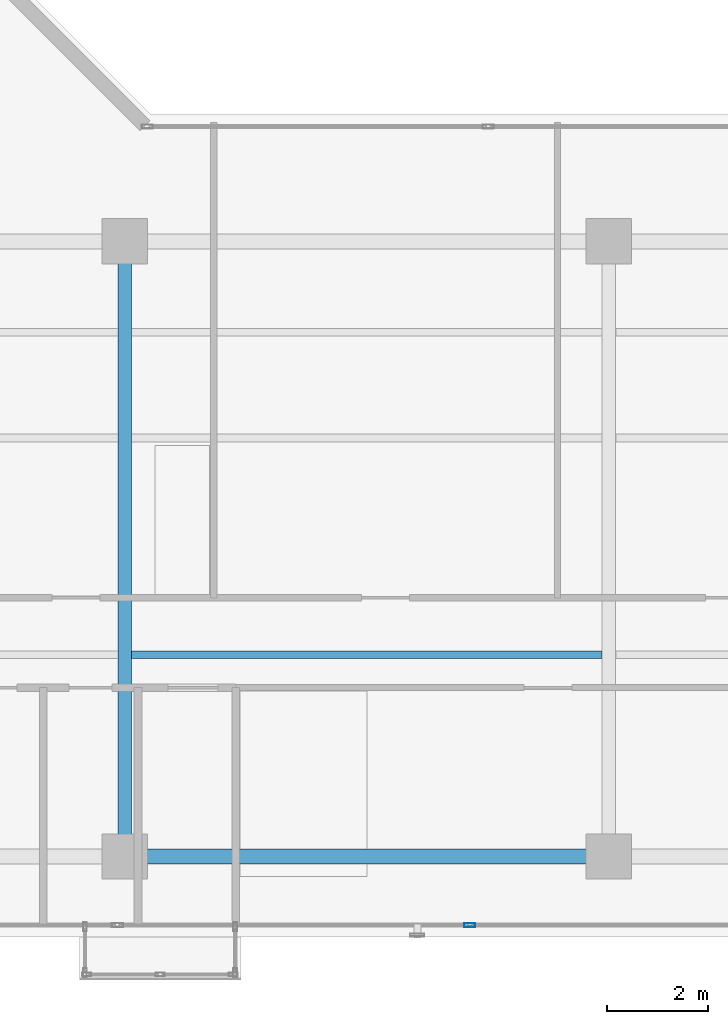
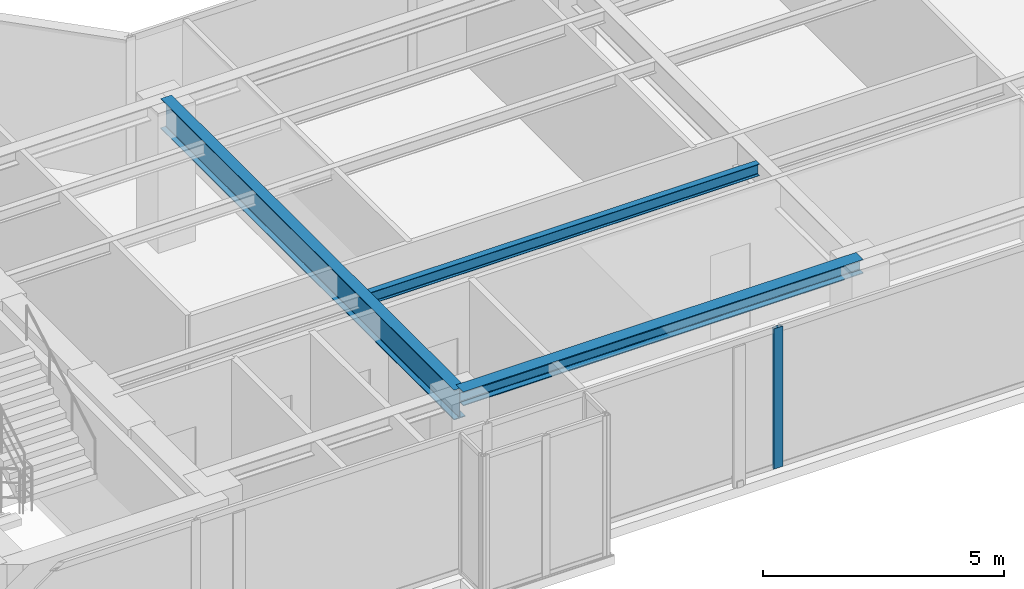
# One storey, part 5 of 24: 3 beams, 1 member, 1 element without a shape of its own.
"""IFC4 building model written with IfcOpenShell, lengths in metres."""

from ifc_helpers import new_model, si_unit, direction, frame, origin, origin_with_axes, origin_2d, place, context, subcontext, project, spatial, hollow_rectangle, i_section, extrude, source, transform, mapped, material, layer, layer_set, material_profile, profile_set, type_object, element, aggregate, save


model = new_model("IFC4")

# Units and contexts
model_context = context("Model", 3, precision=1e-05, world=origin(), true_north=direction((0.0, 1.0)))
body_context = subcontext(model_context, "Body", "Model", "MODEL_VIEW")
ifc_project = project(units=[si_unit("LENGTHUNIT", "METRE"), si_unit("AREAUNIT", "SQUARE_METRE"), si_unit("VOLUMEUNIT", "CUBIC_METRE"), si_unit("PLANEANGLEUNIT", "RADIAN"), si_unit("MASSUNIT", "GRAM", prefix="KILO")], contexts=[model_context])

# Site, building, storey
site_placement = place(None, origin())
site = spatial("IfcSite", under=ifc_project, at=site_placement, CompositionType="ELEMENT")
building_placement = place(site_placement, origin())
building = spatial("IfcBuilding", under=site, at=building_placement, Name="Kolvaren Waterfront Exchange", CompositionType="ELEMENT")
storey_placement = place(building_placement, frame((0.0, 0.0, 293.199951171875)))
storey = spatial("IfcBuildingStorey", under=building, at=storey_placement, Name="L75", CompositionType="ELEMENT", Elevation=293.199951171875)

# Beams
ifc_material_1 = material(Name="Steel S355", Category="steel")
ifc_material_profile_1 = material_profile(ifc_material_1, i_section(OverallWidth=0.300048828125, OverallDepth=0.360107421875, WebThickness=0.012451171875, FlangeThickness=0.0224609375, FilletRadius=0.027099609375, at=origin_2d()), Name="HEB360")
ifc_profile_set_1 = profile_set([ifc_material_profile_1], Name="Steel S355")
beam_type_1 = type_object("IfcBeamType", Name="STR-BM-HEB360", PredefinedType="SPANDREL", material=ifc_profile_set_1)
beam_1_placement = place(storey_placement, frame((27.199951171875, 5.199951171875, 3.380126953125), z_axis=(1.0, 0.0, 0.0), x_axis=(0.0, 1.0, 0.0)))
element("IfcBeam", 1, at=beam_1_placement, inside=storey, type_object=beam_type_1, Name="L75 east-arm spandrel S2", PredefinedType="SPANDREL", context=body_context, shape_type="SweptSolid", body=[
    extrude(i_section(OverallWidth=0.300048828125, OverallDepth=0.360107421875, WebThickness=0.012451171875, FlangeThickness=0.0224609375, FilletRadius=0.027099609375, at=origin_2d()), origin(), (0.0, 0.0, 1.0), 9.60009765625),
])
ifc_material_profile_2 = material_profile(ifc_material_1, i_section(OverallWidth=0.14990234375, OverallDepth=0.300048828125, WebThickness=0.007080078125, FlangeThickness=0.0107421875, FilletRadius=0.014892578125, at=origin_2d()), Name="IPE300")
ifc_profile_set_2 = profile_set([ifc_material_profile_2], Name="Steel S355")
beam_type_2 = type_object("IfcBeamType", Name="STR-BM-IPE300", PredefinedType="JOIST", material=ifc_profile_set_2)
beam_2_placement = place(storey_placement, frame((27.33544921875, 9.199951171875, 3.41015625), z_axis=(1.0, 0.0, 0.0), x_axis=(0.0, 1.0, 0.0)))
element("IfcBeam", 2, at=beam_2_placement, inside=storey, type_object=beam_type_2, Name="L75 east-arm composite joist 2B", PredefinedType="JOIST", context=body_context, shape_type="SweptSolid", body=[
    extrude(i_section(OverallWidth=0.14990234375, OverallDepth=0.300048828125, WebThickness=0.007080078125, FlangeThickness=0.0107421875, FilletRadius=0.014892578125, at=origin_2d()), origin(), (0.0, 0.0, 1.0), 9.3291015625),
])
ifc_material_profile_3 = material_profile(ifc_material_1, i_section(OverallWidth=0.26708984375, OverallDepth=0.761962890625, WebThickness=0.014404296875, FlangeThickness=0.021484375, FilletRadius=0.01708984375, at=origin_2d()), Name="IPE750x173")
ifc_profile_set_3 = profile_set([ifc_material_profile_3], Name="Steel S355")
beam_type_3 = type_object("IfcBeamType", Name="STR-BM-IPE750", PredefinedType="BEAM", material=ifc_profile_set_3)
beam_3_placement = place(storey_placement, frame((27.199951171875, 5.199951171875, 3.178955078125), z_axis=(0.0, 1.0, 0.0), x_axis=(-1.0, 0.0, 0.0)))
element("IfcBeam", 3, at=beam_3_placement, inside=storey, type_object=beam_type_3, Name="L75 east-arm transverse girder X27", PredefinedType="BEAM", context=body_context, shape_type="SweptSolid", body=[
    extrude(i_section(OverallWidth=0.26708984375, OverallDepth=0.761962890625, WebThickness=0.014404296875, FlangeThickness=0.021484375, FilletRadius=0.01708984375, at=origin_2d()), origin(), (0.0, 0.0, 1.0), 12.199951171875),
])

# Curtain wall, member
ifc_material_2 = material(Name="Anodised bronze aluminium 6063-T6", Category="aluminium")
ifc_layer = layer(ifc_material_2, 0.219970703125, Name="Anodised bronze aluminium 6063-T6")
ifc_layer_set = layer_set([ifc_layer], Name="Anodised bronze aluminium 6063-T6")
curtain_wall_type = type_object("IfcCurtainWallType", Name="ARC-CW-SYS1", PredefinedType="USERDEFINED", material=ifc_layer_set)
curtain_wall_placement = place(storey_placement, origin())
curtain_wall = element("IfcCurtainWall", 4, at=curtain_wall_placement, inside=storey, type_object=curtain_wall_type, Name="L75 stick curtain wall CW1 (CW-L75-S)", ObjectType="STICK CURTAIN WALL", PredefinedType="USERDEFINED")
ifc_material_3 = material(Name="Anodised aluminium 6063-T6", Category="aluminium")
ifc_material_profile_4 = material_profile(ifc_material_3, hollow_rectangle(XDim=0.080078125, YDim=0.219970703125, WallThickness=0.0048828125, at=origin_2d()), Name="ALU-MUL-220x80x5")
ifc_profile_set_4 = profile_set([ifc_material_profile_4], Name="Anodised aluminium 6063-T6")
member_type = type_object("IfcMemberType", Name="ARC-CWM-220", PredefinedType="MULLION", material=ifc_profile_set_4)
shared_shape = source(origin_with_axes(), body_context, "Body", "SweptSolid", [
    extrude(hollow_rectangle(XDim=0.080078125, YDim=0.219970703125, WallThickness=0.0048828125, at=origin_2d()), origin(), (0.0, 0.0, 1.0), 3.56005859375),
])
member_placement = place(storey_placement, frame((34.036865234375, 3.840087890625, 0.0), z_axis=(0.0, 0.0, 1.0), x_axis=(0.0, 1.0, 0.0)))
member = element("IfcMember", 5, at=member_placement, type_object=member_type, Name="CW1 mullion 5", PredefinedType="MULLION", context=body_context, shape_type="MappedRepresentation", body=[
    mapped(shared_shape, transform((0.0, 0.0, 0.0), x_axis=(1.0, 0.0, 0.0), y_axis=(0.0, 1.0, 0.0), z_axis=(0.0, 0.0, 1.0), scale=1.0)),
])
aggregate(curtain_wall, [member])

save(model, "model.ifc")
